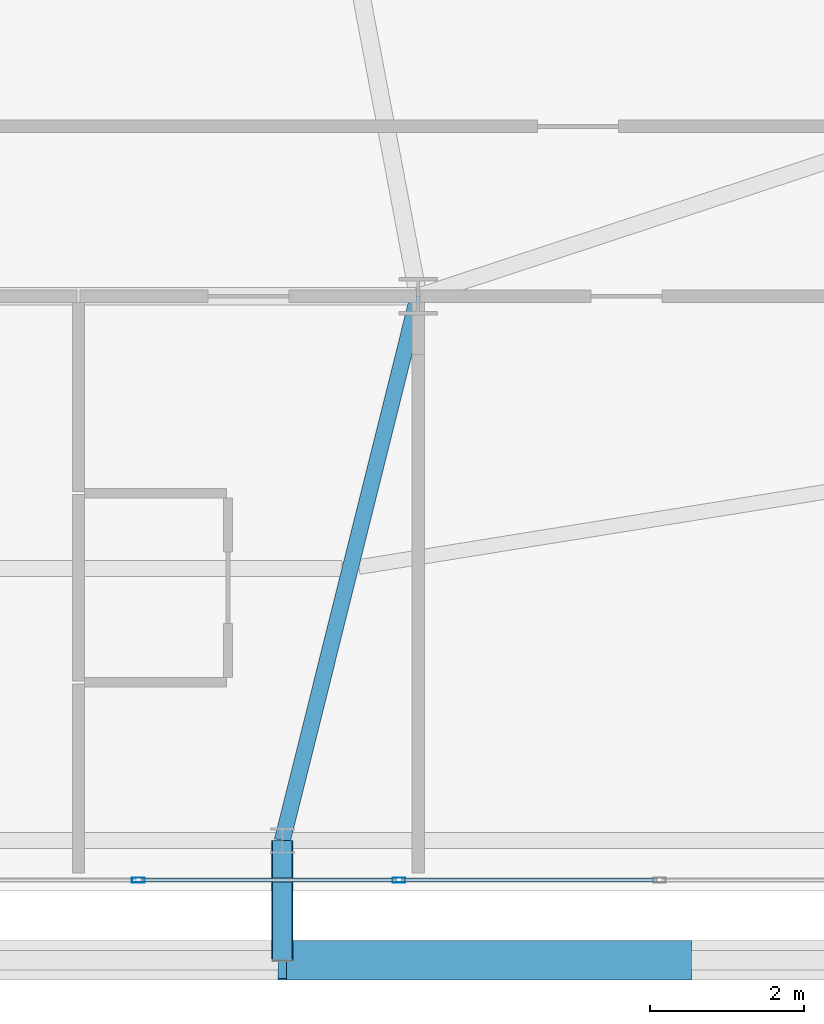
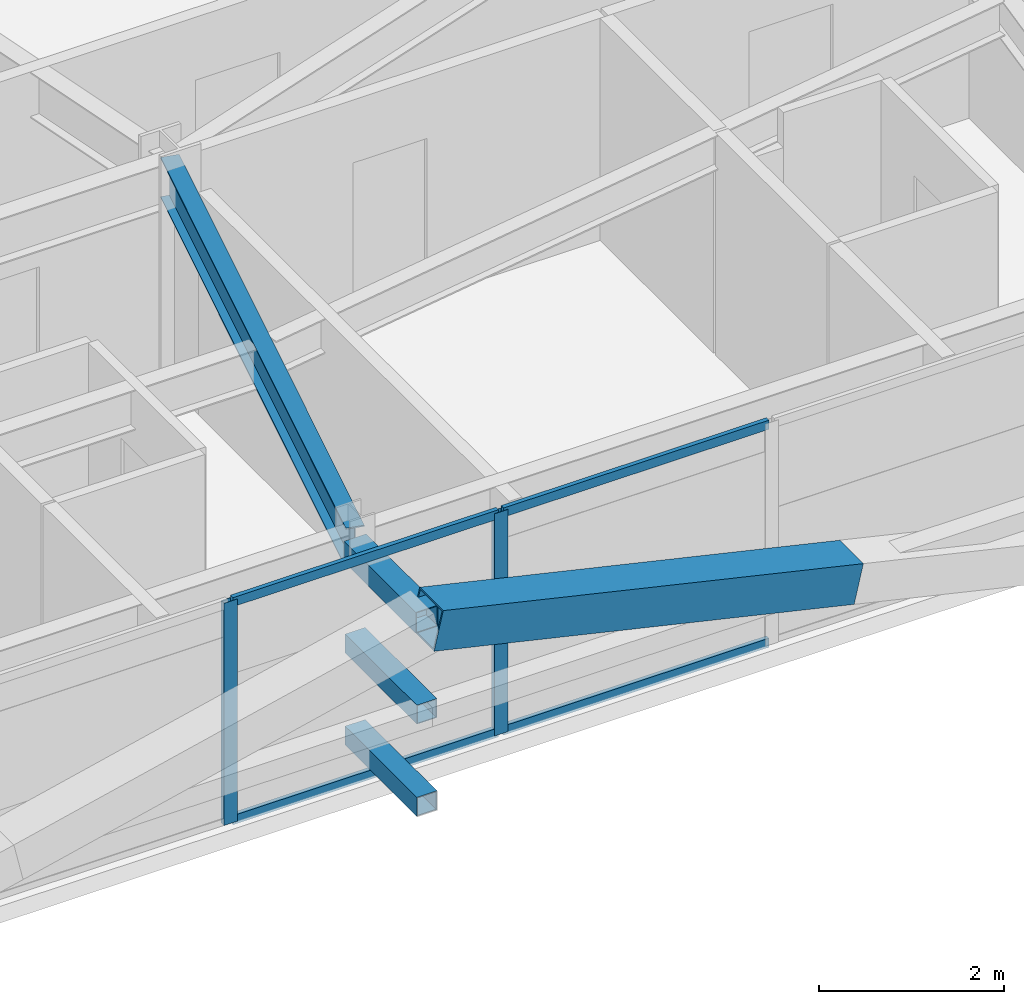
# One storey, part 20 of 59: 10 members, 1 beam, 1 element without a shape of its own.
"""IFC4 building model written with IfcOpenShell, lengths in metres."""

from ifc_helpers import new_model, si_unit, direction, frame, origin, origin_2d, place, context, subcontext, project, spatial, hollow_rectangle, i_section, extrude, source, transform, mapped, material, layer, layer_set, material_profile, profile_set, type_object, element, aggregate, save


model = new_model("IFC4")

# Units and contexts
model_context = context("Model", 3, precision=1e-05, world=origin(), true_north=direction((0.0, 1.0)))
body_context = subcontext(model_context, "Body", "Model", "MODEL_VIEW")
ifc_project = project(units=[si_unit("LENGTHUNIT", "METRE"), si_unit("AREAUNIT", "SQUARE_METRE"), si_unit("VOLUMEUNIT", "CUBIC_METRE"), si_unit("PLANEANGLEUNIT", "RADIAN"), si_unit("MASSUNIT", "GRAM", prefix="KILO")], contexts=[model_context])

# Site, building, storey
site_placement = place(None, origin())
site = spatial("IfcSite", under=ifc_project, at=site_placement, CompositionType="ELEMENT")
building_placement = place(site_placement, origin())
building = spatial("IfcBuilding", under=site, at=building_placement, Name="Taldren Reach Tower", CompositionType="ELEMENT")
storey_placement = place(building_placement, frame((0.0, 0.0, 23.10009765625)))
storey = spatial("IfcBuildingStorey", under=building, at=storey_placement, Name="L06", CompositionType="ELEMENT", Elevation=23.10009765625)

# Beam
ifc_material_1 = material(Name="Steel Gr 350 (350PLUS)", Category="steel")
ifc_material_profile_1 = material_profile(ifc_material_1, i_section(OverallWidth=0.208984375, OverallDepth=0.532958984375, WebThickness=0.01025390625, FlangeThickness=0.015625, at=origin_2d()), Name="530UB92.4")
ifc_profile_set_1 = profile_set([ifc_material_profile_1], Name="Steel Gr 350 (350PLUS)")
beam_type = type_object("IfcBeamType", Name="BM-UB530A", PredefinedType="BEAM", material=ifc_profile_set_1)
shared_shape_1 = source(origin(), body_context, "Body", "SweptSolid", [
    extrude(i_section(OverallWidth=0.208984375, OverallDepth=0.532958984375, WebThickness=0.01025390625, FlangeThickness=0.015625, at=origin_2d()), origin(), (0.0, 0.0, 1.0), 7.266357421875),
])
beam_placement = place(storey_placement, frame((42.0, 9.199951171875, 2.663330078125), z_axis=(-0.24221148493, -0.970223477642, 0.0), x_axis=(0.970223477642, -0.24221148493, 0.0)))
element("IfcBeam", 1, at=beam_placement, inside=storey, type_object=beam_type, Name="Primary floor girder B1-S4 L06", PredefinedType="BEAM", context=body_context, shape_type="MappedRepresentation", body=[
    mapped(shared_shape_1, transform((0.0, 0.0, 0.0), scale=1.0)),
])

# Members
ifc_material_2 = material(Name="Steel Gr 450 (C450L0)", Category="steel")
ifc_material_profile_2 = material_profile(ifc_material_2, hollow_rectangle(XDim=0.27490234375, YDim=0.27490234375, WallThickness=0.00927734375, at=origin_2d()), Name="275x275x9.3SHS")
ifc_profile_set_2 = profile_set([ifc_material_profile_2], Name="Steel Gr 450 (C450L0)")
member_type_1 = type_object("IfcMemberType", Name="MB-TIE273", PredefinedType="STRUT", material=ifc_profile_set_2)
shared_shape_2 = source(origin(), body_context, "Body", "SweptSolid", [
    extrude(hollow_rectangle(XDim=0.27490234375, YDim=0.27490234375, WallThickness=0.00927734375, at=origin_2d()), origin(), (0.0, 0.0, 1.0), 1.5498046875),
])
member_1_placement = place(storey_placement, frame((40.239990234375, 2.14990234375, 2.64990234375), z_axis=(0.0, -1.0, 0.0), x_axis=(1.0, 0.0, 0.0)))
element("IfcMember", 2, at=member_1_placement, inside=storey, type_object=member_type_1, Name="Exoskeleton diaphragm tie strut B1-S4 L06", PredefinedType="STRUT", context=body_context, shape_type="MappedRepresentation", body=[
    mapped(shared_shape_2, transform((0.0, 0.0, 0.0), scale=1.0)),
])
ifc_material_profile_3 = material_profile(ifc_material_2, hollow_rectangle(XDim=0.510009765625, YDim=0.510009765625, WallThickness=0.02001953125, at=origin_2d()), Name="510x510x20.0SHS")
ifc_profile_set_3 = profile_set([ifc_material_profile_3], Name="Steel Gr 450 (C450L0)")
member_type_2 = type_object("IfcMemberType", Name="MB-EXO508", PredefinedType="BRACE", material=ifc_profile_set_3)
shared_shape_3 = source(origin(), body_context, "Body", "SweptSolid", [
    extrude(hollow_rectangle(XDim=0.510009765625, YDim=0.510009765625, WallThickness=0.02001953125, at=origin_2d()), origin(), (0.0, 0.0, 1.0), 5.37890625),
])
member_2_placement = place(storey_placement, frame((45.47998046875, 0.60009765625, 1.434814453125), z_axis=(-0.97415197996, 0.0, 0.225893603143), x_axis=(0.0, -1.0, 0.0)))
element("IfcMember", 3, at=member_2_placement, inside=storey, type_object=member_type_2, Name="Exoskeleton Diagrid Brace B1-S4 L06", PredefinedType="BRACE", context=body_context, shape_type="MappedRepresentation", body=[
    mapped(shared_shape_3, transform((0.0, 0.0, 0.0), scale=1.0)),
])
ifc_material_3 = material(Name="Steel Gr 350 (C350L0)", Category="steel")
ifc_material_profile_4 = material_profile(ifc_material_3, hollow_rectangle(XDim=0.25, YDim=0.25, WallThickness=0.010009765625, at=origin_2d()), Name="250x250x10.0SHS")
ifc_profile_set_4 = profile_set([ifc_material_profile_4], Name="Steel Gr 350 (C350L0)")
member_type_3 = type_object("IfcMemberType", Name="MB-POST250", PredefinedType="POST", material=ifc_profile_set_4)
shared_shape_4 = source(origin(), body_context, "Body", "SweptSolid", [
    extrude(hollow_rectangle(XDim=0.25, YDim=0.25, WallThickness=0.010009765625, at=origin_2d()), origin(), (0.0, 0.0, 1.0), 1.5498046875),
])
for number, where, z_axis, x_axis, name in (
    (4, (40.239990234375, 2.14990234375, 0.219970703125), (0.0, -1.0, 0.0), (1.0, 0.0, 0.0), "Exoskeleton base diaphragm tie strut B1-S4 L06"),
    (5, (40.239990234375, 2.14990234375, 1.434814453125), (0.0, -1.0, 0.0), (1.0, 0.0, 0.0), "Exoskeleton mid-tier diaphragm tie B1-S4 L06"),
):
    element("IfcMember", number, at=place(storey_placement, frame(where, z_axis=z_axis, x_axis=x_axis)), inside=storey, type_object=member_type_3, Name=name, PredefinedType="POST", context=body_context, shape_type="MappedRepresentation", body=[
        mapped(shared_shape_4, transform((0.0, 0.0, 0.0), scale=1.0)),
    ])

# Curtain wall, members
ifc_material_4 = material(Name="Aluminium and Low-E Glass Unitised System", Category="aluminium")
ifc_layer = layer(ifc_material_4, 0.159912109375)
ifc_layer_set = layer_set([ifc_layer], Name="Aluminium and Low-E Glass Unitised System")
curtain_wall_type = type_object("IfcCurtainWallType", Name="CW-SYS-2", PredefinedType="NOTDEFINED", material=ifc_layer_set)
curtain_wall_placement = place(storey_placement, origin())
curtain_wall = element("IfcCurtainWall", 6, at=curtain_wall_placement, inside=storey, type_object=curtain_wall_type, Name="Unitised curtain wall CW-L06-S", PredefinedType="NOTDEFINED")
ifc_material_5 = material(Name="Anodised Aluminium 6063-T6", Category="aluminium")
ifc_material_profile_5 = material_profile(ifc_material_5, hollow_rectangle(XDim=0.06494140625, YDim=0.1650390625, WallThickness=0.00390625, at=origin_2d()), Name="ALU-165x65x4RHS")
ifc_profile_set_5 = profile_set([ifc_material_profile_5], Name="Anodised Aluminium 6063-T6")
member_type_4 = type_object("IfcMemberType", Name="CW-MUL-165", PredefinedType="MULLION", material=ifc_profile_set_5)
shared_shape_5 = source(origin(), body_context, "Body", "SweptSolid", [
    extrude(hollow_rectangle(XDim=0.06494140625, YDim=0.1650390625, WallThickness=0.00390625, at=origin_2d()), origin(), (0.0, 0.0, 1.0), 2.929931640625),
])
member_3_placement = place(storey_placement, frame((38.375, 1.639892578125, 0.0), z_axis=(0.0, 0.0, 1.0), x_axis=(0.0, 1.0, 0.0)))
member_3 = element("IfcMember", 7, at=member_3_placement, type_object=member_type_4, Name="CW-2 mullion 10", PredefinedType="MULLION", context=body_context, shape_type="MappedRepresentation", body=[
    mapped(shared_shape_5, transform((0.0, 0.0, 0.0), scale=1.0)),
])
member_4_placement = place(storey_placement, frame((41.75, 1.639892578125, 0.0), z_axis=(0.0, 0.0, 1.0), x_axis=(0.0, 1.0, 0.0)))
member_4 = element("IfcMember", 8, at=member_4_placement, type_object=member_type_4, Name="CW-2 mullion 11", PredefinedType="MULLION", context=body_context, shape_type="MappedRepresentation", body=[
    mapped(shared_shape_5, transform((0.0, 0.0, 0.0), scale=1.0)),
])
ifc_material_profile_6 = material_profile(ifc_material_5, hollow_rectangle(XDim=0.054931640625, YDim=0.1201171875, WallThickness=0.0029296875, at=origin_2d()), Name="ALU-120x55x3RHS")
ifc_profile_set_6 = profile_set([ifc_material_profile_6], Name="Anodised Aluminium 6063-T6")
member_type_5 = type_object("IfcMemberType", Name="CW-TRN-135", PredefinedType="USERDEFINED", material=ifc_profile_set_6)
shared_shape_6 = source(origin(), body_context, "Body", "SweptSolid", [
    extrude(hollow_rectangle(XDim=0.054931640625, YDim=0.1201171875, WallThickness=0.0029296875, at=origin_2d()), origin(), (0.0, 0.0, 1.0), 3.31005859375),
])
member_5_placement = place(storey_placement, frame((38.407470703125, 1.639892578125, 0.02734375), z_axis=(1.0, 0.0, 0.0), x_axis=(0.0, 1.0, 0.0)))
member_5 = element("IfcMember", 9, at=member_5_placement, type_object=member_type_5, Name="CW-2 transom 10.1", ObjectType="TRANSOM", PredefinedType="USERDEFINED", context=body_context, shape_type="MappedRepresentation", body=[
    mapped(shared_shape_6, transform((0.0, 0.0, 0.0), scale=1.0)),
])
member_6_placement = place(storey_placement, frame((38.407470703125, 1.639892578125, 2.90234375), z_axis=(1.0, 0.0, 0.0), x_axis=(0.0, 1.0, 0.0)))
member_6 = element("IfcMember", 10, at=member_6_placement, type_object=member_type_5, Name="CW-2 transom 10.2", ObjectType="TRANSOM", PredefinedType="USERDEFINED", context=body_context, shape_type="MappedRepresentation", body=[
    mapped(shared_shape_6, transform((0.0, 0.0, 0.0), scale=1.0)),
])
member_7_placement = place(storey_placement, frame((41.782470703125, 1.639892578125, 0.02734375), z_axis=(1.0, 0.0, 0.0), x_axis=(0.0, 1.0, 0.0)))
member_7 = element("IfcMember", 11, at=member_7_placement, type_object=member_type_5, Name="CW-2 transom 11.1", ObjectType="TRANSOM", PredefinedType="USERDEFINED", context=body_context, shape_type="MappedRepresentation", body=[
    mapped(shared_shape_6, transform((0.0, 0.0, 0.0), scale=1.0)),
])
member_8_placement = place(storey_placement, frame((41.782470703125, 1.639892578125, 2.90234375), z_axis=(1.0, 0.0, 0.0), x_axis=(0.0, 1.0, 0.0)))
member_8 = element("IfcMember", 12, at=member_8_placement, type_object=member_type_5, Name="CW-2 transom 11.2", ObjectType="TRANSOM", PredefinedType="USERDEFINED", context=body_context, shape_type="MappedRepresentation", body=[
    mapped(shared_shape_6, transform((0.0, 0.0, 0.0), scale=1.0)),
])
aggregate(curtain_wall, [member_3, member_4, member_5, member_6, member_7, member_8])

save(model, "model.ifc")
